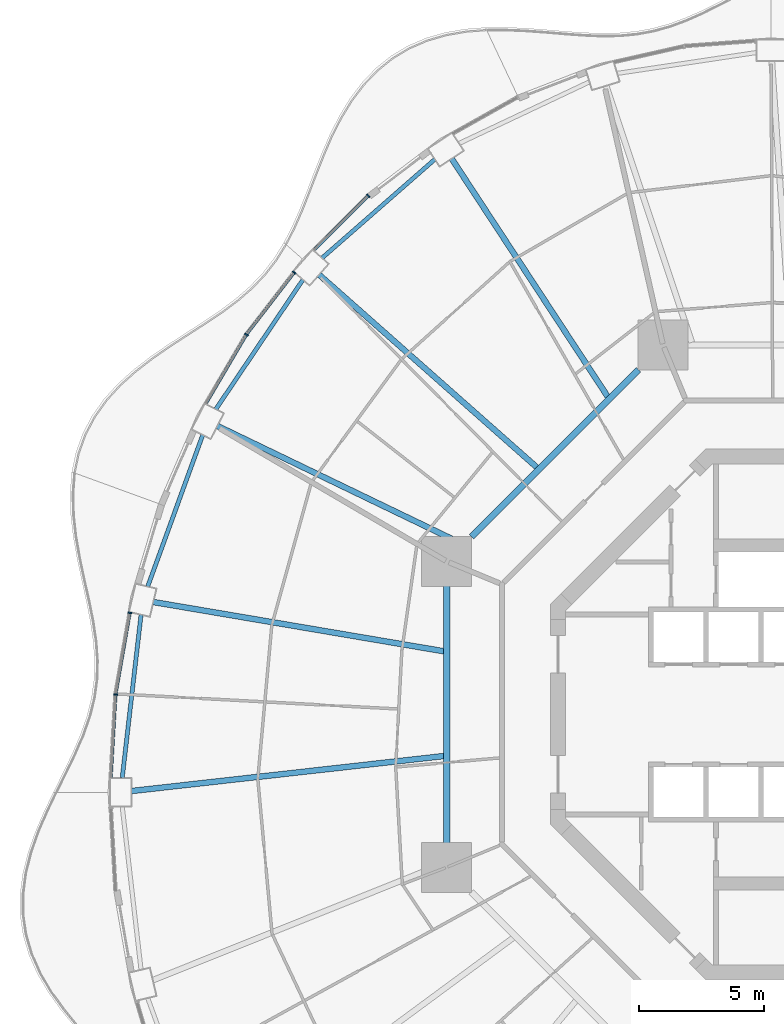
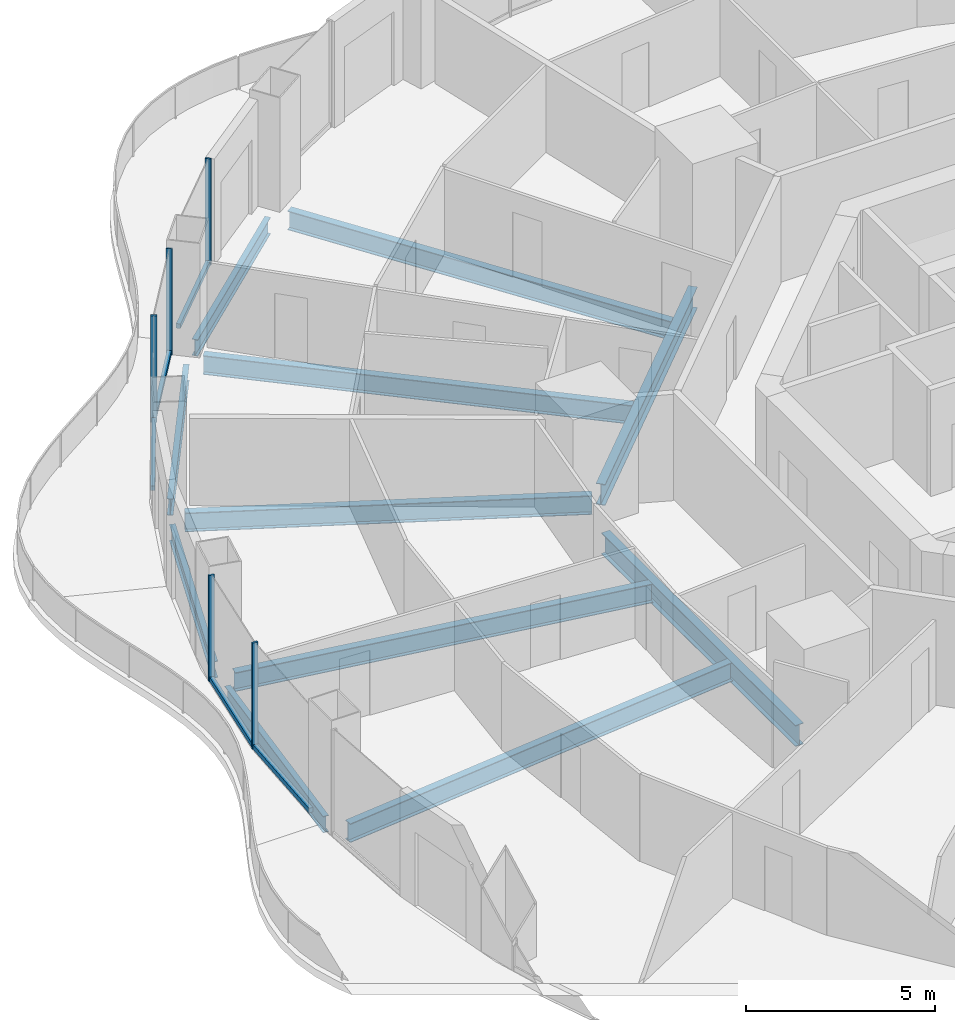
# One storey, part 6 of 20: 11 beams, 10 members, 5 elements without a shape of their own.
"""IFC4 building model written with IfcOpenShell, lengths in metres."""

from ifc_helpers import new_model, si_unit, direction, frame, origin, origin_2d, place, context, subcontext, project, spatial, rectangle, i_section, extrude, material, layer, layer_set, material_profile, profile_set, type_object, element, aggregate, save


model = new_model("IFC4")

# Units and contexts
model_context = context("Model", 3, precision=1e-05, world=origin(), true_north=direction((0.0, 1.0)))
body_context = subcontext(model_context, "Body", "Model", "MODEL_VIEW")
ifc_project = project(units=[si_unit("LENGTHUNIT", "METRE"), si_unit("AREAUNIT", "SQUARE_METRE"), si_unit("VOLUMEUNIT", "CUBIC_METRE"), si_unit("PLANEANGLEUNIT", "RADIAN"), si_unit("MASSUNIT", "GRAM", prefix="KILO")], contexts=[model_context])

# Site, building, storey
site_placement = place(None, origin())
site = spatial("IfcSite", under=ifc_project, at=site_placement, CompositionType="ELEMENT")
building_placement = place(site_placement, origin())
building = spatial("IfcBuilding", under=site, at=building_placement, Name="Nagisa Residences", CompositionType="ELEMENT")
storey_placement = place(building_placement, frame((0.0, 0.0, 141.800048828125)))
storey = spatial("IfcBuildingStorey", under=building, at=storey_placement, Name="L35", CompositionType="ELEMENT", Elevation=141.800048828125)

# Curtain wall, member
ifc_material_1 = material(Name="Concrete-coloured aluminium curtain wall system", Category="concrete")
ifc_layer = layer(ifc_material_1, 0.159912109375)
ifc_layer_set = layer_set([ifc_layer], Name="CW1 CURTAIN WALL")
curtain_wall_type = type_object("IfcCurtainWallType", Name="CW1 CURTAIN WALL", PredefinedType="NOTDEFINED", material=ifc_layer_set)
curtain_wall_1_placement = place(storey_placement, origin())
curtain_wall_1 = element("IfcCurtainWall", 1, at=curtain_wall_1_placement, inside=storey, type_object=curtain_wall_type, Name="cw:CW1:L35:17", PredefinedType="NOTDEFINED")
ifc_material_2 = material(Name="Concrete-coloured aluminium", Category="concrete")
ifc_material_profile_1 = material_profile(ifc_material_2, rectangle(XDim=0.159912109375, YDim=0.06005859375, at=origin_2d()), Name="CW1 MULLION 160x60")
ifc_profile_set_1 = profile_set([ifc_material_profile_1], Name="Concrete-coloured aluminium")
member_type_1 = type_object("IfcMemberType", Name="CW1 MULLION 160x60", PredefinedType="MULLION", material=ifc_profile_set_1)
member_1_placement = place(storey_placement, frame((-17.918212890625, 20.759765625, 0.0), z_axis=(0.0, 0.0, 1.0), x_axis=(0.706376885714, -0.707835924016, 0.0)))
member_1 = element("IfcMember", 2, at=member_1_placement, type_object=member_type_1, Name="CW1 mullion", PredefinedType="MULLION", context=body_context, shape_type="SweptSolid", body=[
    extrude(rectangle(XDim=0.159912109375, YDim=0.06005859375, at=origin_2d()), origin(), (0.0, 0.0, 1.0), 3.43994140625),
])

curtain_wall_2_placement = place(storey_placement, origin())
curtain_wall_2 = element("IfcCurtainWall", 3, at=curtain_wall_2_placement, inside=storey, type_object=curtain_wall_type, Name="cw:CW1:L35:18", PredefinedType="NOTDEFINED")
member_2_placement = place(storey_placement, frame((-20.88427734375, 17.685546875, 0.0), z_axis=(0.0, 0.0, 1.0), x_axis=(0.792070340816, -0.610429828235, 0.0)))
member_2 = element("IfcMember", 4, at=member_2_placement, type_object=member_type_1, Name="CW1 mullion", PredefinedType="MULLION", context=body_context, shape_type="SweptSolid", body=[
    extrude(rectangle(XDim=0.159912109375, YDim=0.06005859375, at=origin_2d()), origin(), (0.0, 0.0, 1.0), 3.43994140625),
])

curtain_wall_3_placement = place(storey_placement, origin())
curtain_wall_3 = element("IfcCurtainWall", 5, at=curtain_wall_3_placement, inside=storey, type_object=curtain_wall_type, Name="cw:CW1:L35:19", PredefinedType="NOTDEFINED")
member_3_placement = place(storey_placement, frame((-22.7978515625, 15.197509765625, 0.0), z_axis=(0.0, 0.0, 1.0), x_axis=(0.862328898214, -0.506348567002, 0.0)))
member_3 = element("IfcMember", 6, at=member_3_placement, type_object=member_type_1, Name="CW1 mullion", PredefinedType="MULLION", context=body_context, shape_type="SweptSolid", body=[
    extrude(rectangle(XDim=0.159912109375, YDim=0.06005859375, at=origin_2d()), origin(), (0.0, 0.0, 1.0), 3.43994140625),
])

curtain_wall_4_placement = place(storey_placement, origin())
curtain_wall_4 = element("IfcCurtainWall", 7, at=curtain_wall_4_placement, inside=storey, type_object=curtain_wall_type, Name="cw:CW1:L35:22", PredefinedType="NOTDEFINED")
member_4_placement = place(storey_placement, frame((-27.46044921875, 4.06298828125, 0.0), z_axis=(0.0, 0.0, 1.0), x_axis=(0.985063604377, -0.172190868898, 0.0)))
member_4 = element("IfcMember", 8, at=member_4_placement, type_object=member_type_1, Name="CW1 mullion", PredefinedType="MULLION", context=body_context, shape_type="SweptSolid", body=[
    extrude(rectangle(XDim=0.159912109375, YDim=0.06005859375, at=origin_2d()), origin(), (0.0, 0.0, 1.0), 3.43994140625),
])

curtain_wall_5_placement = place(storey_placement, origin())
curtain_wall_5 = element("IfcCurtainWall", 9, at=curtain_wall_5_placement, inside=storey, type_object=curtain_wall_type, Name="cw:CW1:L35:23", PredefinedType="NOTDEFINED")
member_5_placement = place(storey_placement, frame((-28.02978515625, 0.7890625, 0.0), z_axis=(0.0, 0.0, 1.0), x_axis=(0.998345305184, -0.057503492216, 0.0)))
member_5 = element("IfcMember", 10, at=member_5_placement, type_object=member_type_1, Name="CW1 mullion", PredefinedType="MULLION", context=body_context, shape_type="SweptSolid", body=[
    extrude(rectangle(XDim=0.159912109375, YDim=0.06005859375, at=origin_2d()), origin(), (0.0, 0.0, 1.0), 3.43994140625),
])

# Member
ifc_material_3 = material(Name="Concrete-coloured aluminium", Category="concrete")
ifc_material_profile_2 = material_profile(ifc_material_3, rectangle(XDim=0.1201171875, YDim=0.14990234375, at=origin_2d()), Name="CW1 TRANSOM 120x150")
ifc_profile_set_2 = profile_set([ifc_material_profile_2], Name="Concrete-coloured aluminium")
member_type_2 = type_object("IfcMemberType", Name="CW1 TRANSOM 120x150", PredefinedType="USERDEFINED", material=ifc_profile_set_2)
member_6_placement = place(storey_placement, frame((-17.89697265625, 20.781005859375, 0.074951171875), z_axis=(-0.707818274975, -0.706394570768, 0.0), x_axis=(0.706394570768, -0.707818274975, 0.0)))
member_6 = element("IfcMember", 11, at=member_6_placement, type_object=member_type_2, Name="CW1 transom", ObjectType="TRANSOM", PredefinedType="USERDEFINED", context=body_context, shape_type="SweptSolid", body=[
    extrude(rectangle(XDim=0.1201171875, YDim=0.14990234375, at=origin_2d()), origin(), (0.0, 0.0, 1.0), 3.086669921875),
])

aggregate(curtain_wall_1, [member_1, member_6])

member_7_placement = place(storey_placement, frame((-20.865966796875, 17.709228515625, 0.074951171875), z_axis=(-0.610467332273, -0.792041435928, 0.0), x_axis=(0.792041435928, -0.610467332273, 0.0)))
member_7 = element("IfcMember", 12, at=member_7_placement, type_object=member_type_2, Name="CW1 transom", ObjectType="TRANSOM", PredefinedType="USERDEFINED", context=body_context, shape_type="SweptSolid", body=[
    extrude(rectangle(XDim=0.1201171875, YDim=0.14990234375, at=origin_2d()), origin(), (0.0, 0.0, 1.0), 3.14892578125),
])

aggregate(curtain_wall_2, [member_2, member_7])

member_8_placement = place(storey_placement, frame((-22.78271484375, 15.223388671875, 0.074951171875), z_axis=(-0.506348207891, -0.86232910908, 0.0), x_axis=(0.86232910908, -0.506348207891, 0.0)))
member_8 = element("IfcMember", 13, at=member_8_placement, type_object=member_type_2, Name="CW1 transom", ObjectType="TRANSOM", PredefinedType="USERDEFINED", context=body_context, shape_type="SweptSolid", body=[
    extrude(rectangle(XDim=0.1201171875, YDim=0.14990234375, at=origin_2d()), origin(), (0.0, 0.0, 1.0), 3.208251953125),
])

aggregate(curtain_wall_3, [member_3, member_8])

member_9_placement = place(storey_placement, frame((-27.455322265625, 4.092529296875, 0.074951171875), z_axis=(-0.172234609255, -0.985055957484, 0.0), x_axis=(0.985055957484, -0.172234609255, 0.0)))
member_9 = element("IfcMember", 14, at=member_9_placement, type_object=member_type_2, Name="CW1 transom", ObjectType="TRANSOM", PredefinedType="USERDEFINED", context=body_context, shape_type="SweptSolid", body=[
    extrude(rectangle(XDim=0.1201171875, YDim=0.14990234375, at=origin_2d()), origin(), (0.0, 0.0, 1.0), 3.33251953125),
])

aggregate(curtain_wall_4, [member_4, member_9])

member_10_placement = place(storey_placement, frame((-28.028076171875, 0.81884765625, 0.074951171875), z_axis=(-0.057542018726, -0.998343085357, 0.0), x_axis=(0.998343085357, -0.057542018726, 0.0)))
member_10 = element("IfcMember", 15, at=member_10_placement, type_object=member_type_2, Name="CW1 transom", ObjectType="TRANSOM", PredefinedType="USERDEFINED", context=body_context, shape_type="SweptSolid", body=[
    extrude(rectangle(XDim=0.1201171875, YDim=0.14990234375, at=origin_2d()), origin(), (0.0, 0.0, 1.0), 3.34765625),
])

aggregate(curtain_wall_5, [member_5, member_10])

# Beams
ifc_material_4 = material(Name="Steel ASTM A572 Gr 50", Category="steel")
ifc_material_profile_3 = material_profile(ifc_material_4, i_section(OverallWidth=0.25390625, OverallDepth=0.68408203125, WebThickness=0.012451171875, FlangeThickness=0.018798828125, at=origin_2d()), Name="W690x140")
ifc_profile_set_3 = profile_set([ifc_material_profile_3], Name="Steel ASTM A572 Gr 50")
beam_type_1 = type_object("IfcBeamType", Name="Inner ring beam W690x140", PredefinedType="BEAM", material=ifc_profile_set_3)
beam_1_placement = place(storey_placement, frame((-7.10888671875, 13.796142578125, -0.60205078125), z_axis=(-0.707106781187, -0.707106781187, 0.0), x_axis=(0.707106781187, -0.707106781187, 0.0)))
element("IfcBeam", 16, at=beam_1_placement, inside=storey, type_object=beam_type_1, Name="beam:L35:ib3", PredefinedType="BEAM", context=body_context, shape_type="SweptSolid", body=[
    extrude(i_section(OverallWidth=0.25390625, OverallDepth=0.68408203125, WebThickness=0.012451171875, FlangeThickness=0.018798828125, at=origin_2d()), origin(), (0.0, 0.0, 1.0), 9.457275390625),
])
beam_2_placement = place(storey_placement, frame((-14.781982421875, 5.142822265625, -0.60205078125), z_axis=(0.0, -1.0, 0.0), x_axis=(1.0, 0.0, 0.0)))
element("IfcBeam", 17, at=beam_2_placement, inside=storey, type_object=beam_type_1, Name="beam:L35:ib4", PredefinedType="BEAM", context=body_context, shape_type="SweptSolid", body=[
    extrude(i_section(OverallWidth=0.25390625, OverallDepth=0.68408203125, WebThickness=0.012451171875, FlangeThickness=0.018798828125, at=origin_2d()), origin(), (0.0, 0.0, 1.0), 10.28564453125),
])
ifc_material_5 = material(Name="Steel ASTM A572 Gr 50", Category="steel")
ifc_material_profile_4 = material_profile(ifc_material_5, i_section(OverallWidth=0.166015625, OverallDepth=0.534912109375, WebThickness=0.01025390625, FlangeThickness=0.0166015625, at=origin_2d()), Name="W530x85")
ifc_profile_set_4 = profile_set([ifc_material_profile_4], Name="Steel ASTM A572 Gr 50")
beam_type_2 = type_object("IfcBeamType", Name="Perimeter ring beam W530x85", PredefinedType="BEAM", material=ifc_profile_set_4)
beam_3_placement = place(storey_placement, frame((-15.25830078125, 22.213134765625, -0.527587890625), z_axis=(-0.752503526528, -0.658588219272, 0.0), x_axis=(0.658588219272, -0.752503526528, 0.0)))
element("IfcBeam", 18, at=beam_3_placement, inside=storey, type_object=beam_type_2, Name="beam:L35:pb09", PredefinedType="BEAM", context=body_context, shape_type="SweptSolid", body=[
    extrude(i_section(OverallWidth=0.166015625, OverallDepth=0.534912109375, WebThickness=0.01025390625, FlangeThickness=0.0166015625, at=origin_2d()), origin(), (0.0, 0.0, 1.0), 5.99462890625),
])
beam_4_placement = place(storey_placement, frame((-20.5361328125, 17.39453125, -0.527587890625), z_axis=(-0.558187951157, -0.82971453596, 0.0), x_axis=(0.82971453596, -0.558187951157, 0.0)))
element("IfcBeam", 19, at=beam_4_placement, inside=storey, type_object=beam_type_2, Name="beam:L35:pb10", PredefinedType="BEAM", context=body_context, shape_type="SweptSolid", body=[
    extrude(i_section(OverallWidth=0.166015625, OverallDepth=0.534912109375, WebThickness=0.01025390625, FlangeThickness=0.0166015625, at=origin_2d()), origin(), (0.0, 0.0, 1.0), 6.24267578125),
])
beam_5_placement = place(storey_placement, frame((-24.54638671875, 11.180419921875, -0.527587890625), z_axis=(-0.341366238276, -0.939930365168, 0.0), x_axis=(0.939930365168, -0.341366238276, 0.0)))
element("IfcBeam", 20, at=beam_5_placement, inside=storey, type_object=beam_type_2, Name="beam:L35:pb11", PredefinedType="BEAM", context=body_context, shape_type="SweptSolid", body=[
    extrude(i_section(OverallWidth=0.166015625, OverallDepth=0.534912109375, WebThickness=0.01025390625, FlangeThickness=0.0166015625, at=origin_2d()), origin(), (0.0, 0.0, 1.0), 6.450927734375),
])
beam_6_placement = place(storey_placement, frame((-27.014892578125, 3.98779296875, -0.527587890625), z_axis=(-0.114660786771, -0.993404703017, 0.0), x_axis=(0.993404703017, -0.114660786771, 0.0)))
element("IfcBeam", 21, at=beam_6_placement, inside=storey, type_object=beam_type_2, Name="beam:L35:pb12", PredefinedType="BEAM", context=body_context, shape_type="SweptSolid", body=[
    extrude(i_section(OverallWidth=0.166015625, OverallDepth=0.534912109375, WebThickness=0.01025390625, FlangeThickness=0.0166015625, at=origin_2d()), origin(), (0.0, 0.0, 1.0), 6.568603515625),
])
ifc_material_6 = material(Name="Steel ASTM A572 Gr 50", Category="steel")
ifc_material_profile_5 = material_profile(ifc_material_6, i_section(OverallWidth=0.22900390625, OverallDepth=0.612060546875, WebThickness=0.011962890625, FlangeThickness=0.01953125, at=origin_2d()), Name="W610x125")
ifc_profile_set_5 = profile_set([ifc_material_profile_5], Name="Steel ASTM A572 Gr 50")
beam_type_3 = type_object("IfcBeamType", Name="Radial beam W610x125", PredefinedType="BEAM", material=ifc_profile_set_5)
beam_7_placement = place(storey_placement, frame((-14.581787109375, 22.2392578125, -0.566162109375), z_axis=(0.548325250323, -0.836265161212, 0.0), x_axis=(0.836265161212, 0.548325250323, 0.0)))
element("IfcBeam", 22, at=beam_7_placement, inside=storey, type_object=beam_type_3, Name="beam:L35:rb09", PredefinedType="BEAM", context=body_context, shape_type="SweptSolid", body=[
    extrude(i_section(OverallWidth=0.22900390625, OverallDepth=0.612060546875, WebThickness=0.011962890625, FlangeThickness=0.01953125, at=origin_2d()), origin(), (0.0, 0.0, 1.0), 11.385498046875),
])
beam_8_placement = place(storey_placement, frame((-19.887451171875, 17.594970703125, -0.566162109375), z_axis=(0.7489549138, -0.662620960349, 0.0), x_axis=(0.662620960349, 0.7489549138, 0.0)))
element("IfcBeam", 23, at=beam_8_placement, inside=storey, type_object=beam_type_3, Name="beam:L35:rb10", PredefinedType="BEAM", context=body_context, shape_type="SweptSolid", body=[
    extrude(i_section(OverallWidth=0.22900390625, OverallDepth=0.612060546875, WebThickness=0.011962890625, FlangeThickness=0.01953125, at=origin_2d()), origin(), (0.0, 0.0, 1.0), 11.63671875),
])
beam_9_placement = place(storey_placement, frame((-23.95947265625, 11.543212890625, -0.566162109375), z_axis=(0.900896469051, -0.434034044808, 0.0), x_axis=(0.434034044808, 0.900896469051, 0.0)))
element("IfcBeam", 24, at=beam_9_placement, inside=storey, type_object=beam_type_3, Name="beam:L35:rb11", PredefinedType="BEAM", context=body_context, shape_type="SweptSolid", body=[
    extrude(i_section(OverallWidth=0.22900390625, OverallDepth=0.612060546875, WebThickness=0.011962890625, FlangeThickness=0.01953125, at=origin_2d()), origin(), (0.0, 0.0, 1.0), 10.820556640625),
])
beam_10_placement = place(storey_placement, frame((-26.52294921875, 4.495849609375, -0.566162109375), z_axis=(0.985936650852, -0.167119479737, 0.0), x_axis=(0.167119479737, 0.985936650852, 0.0)))
element("IfcBeam", 25, at=beam_10_placement, inside=storey, type_object=beam_type_3, Name="beam:L35:rb12", PredefinedType="BEAM", context=body_context, shape_type="SweptSolid", body=[
    extrude(i_section(OverallWidth=0.22900390625, OverallDepth=0.612060546875, WebThickness=0.011962890625, FlangeThickness=0.01953125, at=origin_2d()), origin(), (0.0, 0.0, 1.0), 11.799560546875),
])
beam_11_placement = place(storey_placement, frame((-27.40478515625, -3.069580078125, -0.566162109375), z_axis=(0.993785470482, 0.111312347291, 0.0), x_axis=(-0.111312347291, 0.993785470482, 0.0)))
element("IfcBeam", 26, at=beam_11_placement, inside=storey, type_object=beam_type_3, Name="beam:L35:rb13", PredefinedType="BEAM", context=body_context, shape_type="SweptSolid", body=[
    extrude(i_section(OverallWidth=0.22900390625, OverallDepth=0.612060546875, WebThickness=0.011962890625, FlangeThickness=0.01953125, at=origin_2d()), origin(), (0.0, 0.0, 1.0), 12.593994140625),
])

save(model, "model.ifc")
